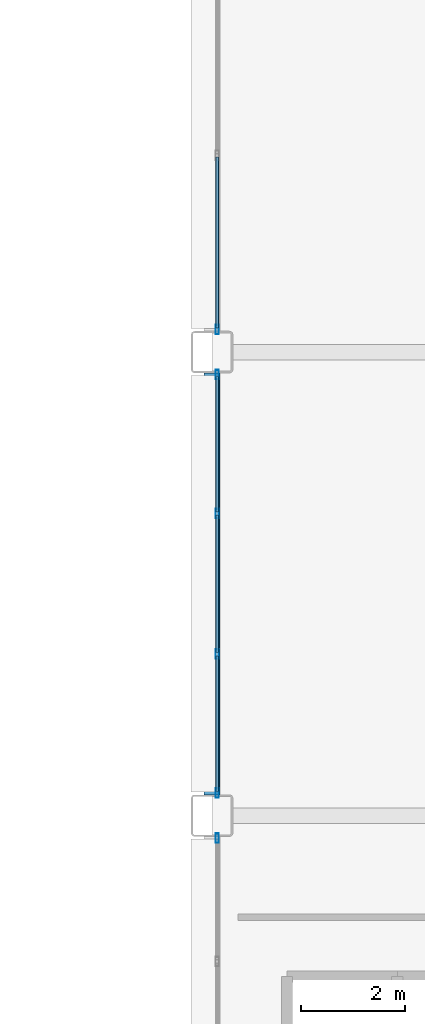
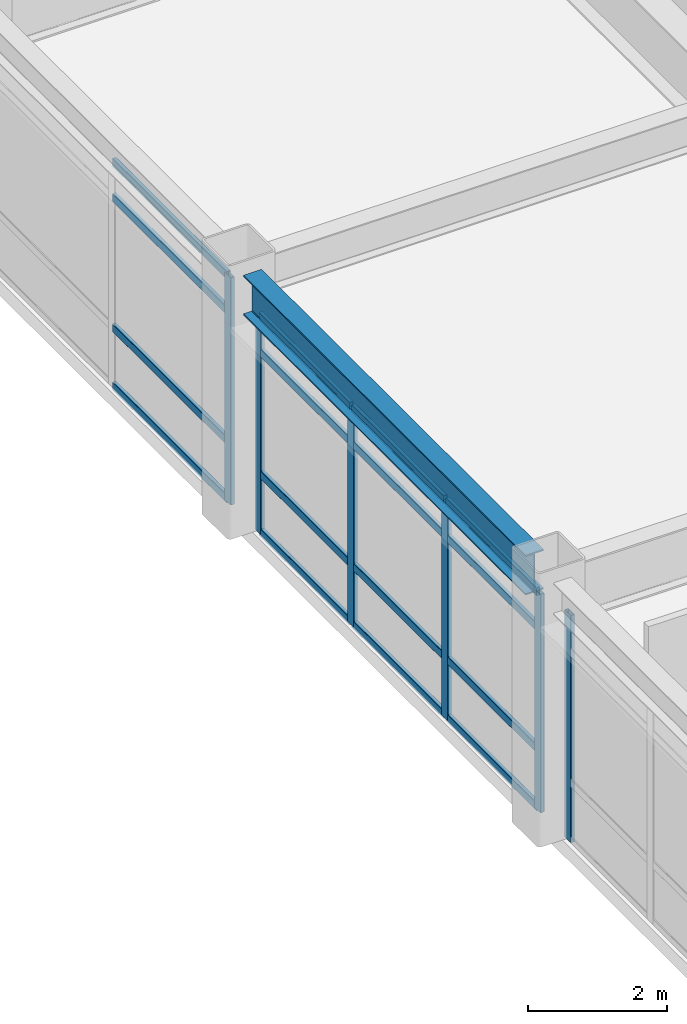
# One storey, part 98 of 154: 22 members, 1 beam, 3 elements without a shape of their own.
"""IFC4 building model written with IfcOpenShell, lengths in metres."""

from ifc_helpers import new_model, si_unit, direction, frame, origin, origin_2d, place, context, subcontext, project, spatial, hollow_rectangle, i_section, extrude, material, layer, layer_set, material_profile, profile_set, type_object, element, aggregate, save


model = new_model("IFC4")

# Units and contexts
model_context = context("Model", 3, precision=1e-05, world=origin(), true_north=direction((0.0, 1.0)))
body_context = subcontext(model_context, "Body", "Model", "MODEL_VIEW")
ifc_project = project(units=[si_unit("LENGTHUNIT", "METRE"), si_unit("AREAUNIT", "SQUARE_METRE"), si_unit("VOLUMEUNIT", "CUBIC_METRE"), si_unit("PLANEANGLEUNIT", "RADIAN"), si_unit("MASSUNIT", "GRAM", prefix="KILO")], contexts=[model_context])

# Site, building, storey
site_placement = place(None, origin())
site = spatial("IfcSite", under=ifc_project, at=site_placement, CompositionType="ELEMENT")
building_placement = place(site_placement, origin())
building = spatial("IfcBuilding", under=site, at=building_placement, Name="Kazehara Bluff Congress Hotel", CompositionType="ELEMENT")
storey_placement = place(building_placement, frame((0.0, 0.0, 10.199951171875)))
storey = spatial("IfcBuildingStorey", under=building, at=storey_placement, Name="L02", CompositionType="ELEMENT", Elevation=10.199951171875)

# Curtain wall, member
ifc_material_1 = material(Name="Anodised aluminium", Category="aluminium")
ifc_layer_1 = layer(ifc_material_1, 0.159912109375)
ifc_layer_set_1 = layer_set([ifc_layer_1], Name="Anodised aluminium")
curtain_wall_type_1 = type_object("IfcCurtainWallType", Name="TP-CW-120", PredefinedType="NOTDEFINED", material=ifc_layer_set_1)
curtain_wall_1_placement = place(storey_placement, origin())
curtain_wall_1 = element("IfcCurtainWall", 1, at=curtain_wall_1_placement, inside=storey, type_object=curtain_wall_type_1, Name="L02 curtain wall CW-120 CW-ENC-V5-L02-14380-6045", PredefinedType="NOTDEFINED")
ifc_material_2 = material(Name="Anodised aluminium", Category="aluminium")
ifc_material_profile_1 = material_profile(ifc_material_2, hollow_rectangle(XDim=0.06494140625, YDim=0.179931640625, WallThickness=0.00390625, InnerFilletRadius=0.00390625, OuterFilletRadius=0.008056640625, at=origin_2d()))
ifc_profile_set_1 = profile_set([ifc_material_profile_1], Name="Anodised aluminium")
member_type_1 = type_object("IfcMemberType", Name="TP-CWM-02", PredefinedType="MULLION", material=ifc_profile_set_1)
member_1_placement = place(storey_placement, frame((143.800048828125, 64.017578125, 0.0), z_axis=(0.0, 0.0, 1.0), x_axis=(-1.0, 0.0, 0.0)))
member_1 = element("IfcMember", 2, at=member_1_placement, type_object=member_type_1, Name="CW-120 mullion 4", PredefinedType="MULLION", context=body_context, shape_type="SweptSolid", body=[
    extrude(hollow_rectangle(XDim=0.06494140625, YDim=0.179931640625, WallThickness=0.00390625, InnerFilletRadius=0.00390625, OuterFilletRadius=0.008056640625, at=origin_2d()), origin(), (0.0, 0.0, 1.0), 3.985107421875),
])
aggregate(curtain_wall_1, [member_1])

# Curtain wall, members
ifc_material_3 = material(Name="Anodised aluminium", Category="aluminium")
ifc_layer_2 = layer(ifc_material_3, 0.159912109375)
ifc_layer_set_2 = layer_set([ifc_layer_2], Name="Anodised aluminium")
curtain_wall_type_2 = type_object("IfcCurtainWallType", Name="TP-CW-121", PredefinedType="NOTDEFINED", material=ifc_layer_set_2)
curtain_wall_2_placement = place(storey_placement, origin())
curtain_wall_2 = element("IfcCurtainWall", 3, at=curtain_wall_2_placement, inside=storey, type_object=curtain_wall_type_2, Name="L02 curtain wall CW-121 CW-ENC-V5-L02-14380-6890", PredefinedType="NOTDEFINED")
member_2_placement = place(storey_placement, frame((143.800048828125, 64.882568359375, 0.0), z_axis=(0.0, 0.0, 1.0), x_axis=(-1.0, 0.0, 0.0)))
member_2 = element("IfcMember", 4, at=member_2_placement, type_object=member_type_1, Name="CW-121 mullion 1", PredefinedType="MULLION", context=body_context, shape_type="SweptSolid", body=[
    extrude(hollow_rectangle(XDim=0.06494140625, YDim=0.179931640625, WallThickness=0.00390625, InnerFilletRadius=0.00390625, OuterFilletRadius=0.008056640625, at=origin_2d()), origin(), (0.0, 0.0, 1.0), 3.8349609375),
])
member_3_placement = place(storey_placement, frame((143.800048828125, 67.550048828125, 0.0), z_axis=(0.0, 0.0, 1.0), x_axis=(-1.0, 0.0, 0.0)))
member_3 = element("IfcMember", 5, at=member_3_placement, type_object=member_type_1, Name="CW-121 mullion 2", PredefinedType="MULLION", context=body_context, shape_type="SweptSolid", body=[
    extrude(hollow_rectangle(XDim=0.06494140625, YDim=0.179931640625, WallThickness=0.00390625, InnerFilletRadius=0.00390625, OuterFilletRadius=0.008056640625, at=origin_2d()), origin(), (0.0, 0.0, 1.0), 3.8349609375),
])
member_4_placement = place(storey_placement, frame((143.800048828125, 70.25, 0.0), z_axis=(0.0, 0.0, 1.0), x_axis=(-1.0, 0.0, 0.0)))
member_4 = element("IfcMember", 6, at=member_4_placement, type_object=member_type_1, Name="CW-121 mullion 3", PredefinedType="MULLION", context=body_context, shape_type="SweptSolid", body=[
    extrude(hollow_rectangle(XDim=0.06494140625, YDim=0.179931640625, WallThickness=0.00390625, InnerFilletRadius=0.00390625, OuterFilletRadius=0.008056640625, at=origin_2d()), origin(), (0.0, 0.0, 1.0), 3.8349609375),
])
member_5_placement = place(storey_placement, frame((143.800048828125, 72.91748046875, 0.0), z_axis=(0.0, 0.0, 1.0), x_axis=(-1.0, 0.0, 0.0)))
member_5 = element("IfcMember", 7, at=member_5_placement, type_object=member_type_1, Name="CW-121 mullion 4", PredefinedType="MULLION", context=body_context, shape_type="SweptSolid", body=[
    extrude(hollow_rectangle(XDim=0.06494140625, YDim=0.179931640625, WallThickness=0.00390625, InnerFilletRadius=0.00390625, OuterFilletRadius=0.008056640625, at=origin_2d()), origin(), (0.0, 0.0, 1.0), 3.8349609375),
])

# Curtain wall, member
ifc_material_4 = material(Name="Anodised aluminium", Category="aluminium")
ifc_layer_3 = layer(ifc_material_4, 0.159912109375)
ifc_layer_set_3 = layer_set([ifc_layer_3], Name="Anodised aluminium")
curtain_wall_type_3 = type_object("IfcCurtainWallType", Name="TP-CW-122", PredefinedType="NOTDEFINED", material=ifc_layer_set_3)
curtain_wall_3_placement = place(storey_placement, origin())
curtain_wall_3 = element("IfcCurtainWall", 8, at=curtain_wall_3_placement, inside=storey, type_object=curtain_wall_type_3, Name="L02 curtain wall CW-122 CW-ENC-V5-L02-14380-7712", PredefinedType="NOTDEFINED")
member_6_placement = place(storey_placement, frame((143.800048828125, 73.782470703125, 0.0), z_axis=(0.0, 0.0, 1.0), x_axis=(-1.0, 0.0, 0.0)))
member_6 = element("IfcMember", 9, at=member_6_placement, type_object=member_type_1, Name="CW-122 mullion 1", PredefinedType="MULLION", context=body_context, shape_type="SweptSolid", body=[
    extrude(hollow_rectangle(XDim=0.06494140625, YDim=0.179931640625, WallThickness=0.00390625, InnerFilletRadius=0.00390625, OuterFilletRadius=0.008056640625, at=origin_2d()), origin(), (0.0, 0.0, 1.0), 3.985107421875),
])

# Member
ifc_material_5 = material(Name="Anodised aluminium", Category="aluminium")
ifc_material_profile_2 = material_profile(ifc_material_5, hollow_rectangle(XDim=0.06494140625, YDim=0.139892578125, WallThickness=0.00390625, InnerFilletRadius=0.00390625, OuterFilletRadius=0.008056640625, at=origin_2d()))
ifc_profile_set_2 = profile_set([ifc_material_profile_2], Name="Anodised aluminium")
member_type_2 = type_object("IfcMemberType", Name="TP-CWT-02", PredefinedType="USERDEFINED", material=ifc_profile_set_2)
member_7_placement = place(storey_placement, frame((143.800048828125, 64.9150390625, 0.032470703125), z_axis=(0.0, 1.0, 0.0), x_axis=(-1.0, 0.0, 0.0)))
member_7 = element("IfcMember", 10, at=member_7_placement, type_object=member_type_2, Name="CW-121 transom 1.1", ObjectType="TRANSOM", PredefinedType="USERDEFINED", context=body_context, shape_type="SweptSolid", body=[
    extrude(hollow_rectangle(XDim=0.06494140625, YDim=0.139892578125, WallThickness=0.00390625, InnerFilletRadius=0.00390625, OuterFilletRadius=0.008056640625, at=origin_2d()), origin(), (0.0, 0.0, 1.0), 2.6025390625),
])

member_8_placement = place(storey_placement, frame((143.800048828125, 64.9150390625, 1.050048828125), z_axis=(0.0, 1.0, 0.0), x_axis=(-1.0, 0.0, 0.0)))
member_8 = element("IfcMember", 11, at=member_8_placement, type_object=member_type_2, Name="CW-121 transom 1.2", ObjectType="TRANSOM", PredefinedType="USERDEFINED", context=body_context, shape_type="SweptSolid", body=[
    extrude(hollow_rectangle(XDim=0.06494140625, YDim=0.139892578125, WallThickness=0.00390625, InnerFilletRadius=0.00390625, OuterFilletRadius=0.008056640625, at=origin_2d()), origin(), (0.0, 0.0, 1.0), 2.6025390625),
])

member_9_placement = place(storey_placement, frame((143.800048828125, 64.9150390625, 3.18505859375), z_axis=(0.0, 1.0, 0.0), x_axis=(-1.0, 0.0, 0.0)))
member_9 = element("IfcMember", 12, at=member_9_placement, type_object=member_type_2, Name="CW-121 transom 1.3", ObjectType="TRANSOM", PredefinedType="USERDEFINED", context=body_context, shape_type="SweptSolid", body=[
    extrude(hollow_rectangle(XDim=0.06494140625, YDim=0.139892578125, WallThickness=0.00390625, InnerFilletRadius=0.00390625, OuterFilletRadius=0.008056640625, at=origin_2d()), origin(), (0.0, 0.0, 1.0), 2.6025390625),
])

member_10_placement = place(storey_placement, frame((143.800048828125, 64.9150390625, 3.802490234375), z_axis=(0.0, 1.0, 0.0), x_axis=(-1.0, 0.0, 0.0)))
member_10 = element("IfcMember", 13, at=member_10_placement, type_object=member_type_2, Name="CW-121 transom 1.4", ObjectType="TRANSOM", PredefinedType="USERDEFINED", context=body_context, shape_type="SweptSolid", body=[
    extrude(hollow_rectangle(XDim=0.06494140625, YDim=0.139892578125, WallThickness=0.00390625, InnerFilletRadius=0.00390625, OuterFilletRadius=0.008056640625, at=origin_2d()), origin(), (0.0, 0.0, 1.0), 2.6025390625),
])

member_11_placement = place(storey_placement, frame((143.800048828125, 67.58251953125, 0.032470703125), z_axis=(0.0, 1.0, 0.0), x_axis=(-1.0, 0.0, 0.0)))
member_11 = element("IfcMember", 14, at=member_11_placement, type_object=member_type_2, Name="CW-121 transom 2.1", ObjectType="TRANSOM", PredefinedType="USERDEFINED", context=body_context, shape_type="SweptSolid", body=[
    extrude(hollow_rectangle(XDim=0.06494140625, YDim=0.139892578125, WallThickness=0.00390625, InnerFilletRadius=0.00390625, OuterFilletRadius=0.008056640625, at=origin_2d()), origin(), (0.0, 0.0, 1.0), 2.635009765625),
])

member_12_placement = place(storey_placement, frame((143.800048828125, 67.58251953125, 1.050048828125), z_axis=(0.0, 1.0, 0.0), x_axis=(-1.0, 0.0, 0.0)))
member_12 = element("IfcMember", 15, at=member_12_placement, type_object=member_type_2, Name="CW-121 transom 2.2", ObjectType="TRANSOM", PredefinedType="USERDEFINED", context=body_context, shape_type="SweptSolid", body=[
    extrude(hollow_rectangle(XDim=0.06494140625, YDim=0.139892578125, WallThickness=0.00390625, InnerFilletRadius=0.00390625, OuterFilletRadius=0.008056640625, at=origin_2d()), origin(), (0.0, 0.0, 1.0), 2.635009765625),
])

member_13_placement = place(storey_placement, frame((143.800048828125, 67.58251953125, 3.18505859375), z_axis=(0.0, 1.0, 0.0), x_axis=(-1.0, 0.0, 0.0)))
member_13 = element("IfcMember", 16, at=member_13_placement, type_object=member_type_2, Name="CW-121 transom 2.3", ObjectType="TRANSOM", PredefinedType="USERDEFINED", context=body_context, shape_type="SweptSolid", body=[
    extrude(hollow_rectangle(XDim=0.06494140625, YDim=0.139892578125, WallThickness=0.00390625, InnerFilletRadius=0.00390625, OuterFilletRadius=0.008056640625, at=origin_2d()), origin(), (0.0, 0.0, 1.0), 2.635009765625),
])

member_14_placement = place(storey_placement, frame((143.800048828125, 67.58251953125, 3.802490234375), z_axis=(0.0, 1.0, 0.0), x_axis=(-1.0, 0.0, 0.0)))
member_14 = element("IfcMember", 17, at=member_14_placement, type_object=member_type_2, Name="CW-121 transom 2.4", ObjectType="TRANSOM", PredefinedType="USERDEFINED", context=body_context, shape_type="SweptSolid", body=[
    extrude(hollow_rectangle(XDim=0.06494140625, YDim=0.139892578125, WallThickness=0.00390625, InnerFilletRadius=0.00390625, OuterFilletRadius=0.008056640625, at=origin_2d()), origin(), (0.0, 0.0, 1.0), 2.635009765625),
])

member_15_placement = place(storey_placement, frame((143.800048828125, 70.282470703125, 0.032470703125), z_axis=(0.0, 1.0, 0.0), x_axis=(-1.0, 0.0, 0.0)))
member_15 = element("IfcMember", 18, at=member_15_placement, type_object=member_type_2, Name="CW-121 transom 3.1", ObjectType="TRANSOM", PredefinedType="USERDEFINED", context=body_context, shape_type="SweptSolid", body=[
    extrude(hollow_rectangle(XDim=0.06494140625, YDim=0.139892578125, WallThickness=0.00390625, InnerFilletRadius=0.00390625, OuterFilletRadius=0.008056640625, at=origin_2d()), origin(), (0.0, 0.0, 1.0), 2.6025390625),
])

member_16_placement = place(storey_placement, frame((143.800048828125, 70.282470703125, 1.050048828125), z_axis=(0.0, 1.0, 0.0), x_axis=(-1.0, 0.0, 0.0)))
member_16 = element("IfcMember", 19, at=member_16_placement, type_object=member_type_2, Name="CW-121 transom 3.2", ObjectType="TRANSOM", PredefinedType="USERDEFINED", context=body_context, shape_type="SweptSolid", body=[
    extrude(hollow_rectangle(XDim=0.06494140625, YDim=0.139892578125, WallThickness=0.00390625, InnerFilletRadius=0.00390625, OuterFilletRadius=0.008056640625, at=origin_2d()), origin(), (0.0, 0.0, 1.0), 2.6025390625),
])

member_17_placement = place(storey_placement, frame((143.800048828125, 70.282470703125, 3.18505859375), z_axis=(0.0, 1.0, 0.0), x_axis=(-1.0, 0.0, 0.0)))
member_17 = element("IfcMember", 20, at=member_17_placement, type_object=member_type_2, Name="CW-121 transom 3.3", ObjectType="TRANSOM", PredefinedType="USERDEFINED", context=body_context, shape_type="SweptSolid", body=[
    extrude(hollow_rectangle(XDim=0.06494140625, YDim=0.139892578125, WallThickness=0.00390625, InnerFilletRadius=0.00390625, OuterFilletRadius=0.008056640625, at=origin_2d()), origin(), (0.0, 0.0, 1.0), 2.6025390625),
])

member_18_placement = place(storey_placement, frame((143.800048828125, 70.282470703125, 3.802490234375), z_axis=(0.0, 1.0, 0.0), x_axis=(-1.0, 0.0, 0.0)))
member_18 = element("IfcMember", 21, at=member_18_placement, type_object=member_type_2, Name="CW-121 transom 3.4", ObjectType="TRANSOM", PredefinedType="USERDEFINED", context=body_context, shape_type="SweptSolid", body=[
    extrude(hollow_rectangle(XDim=0.06494140625, YDim=0.139892578125, WallThickness=0.00390625, InnerFilletRadius=0.00390625, OuterFilletRadius=0.008056640625, at=origin_2d()), origin(), (0.0, 0.0, 1.0), 2.6025390625),
])

aggregate(curtain_wall_2, [member_2, member_3, member_4, member_5, member_7, member_8, member_9, member_10, member_11, member_12, member_13, member_14, member_15, member_16, member_17, member_18])

member_19_placement = place(storey_placement, frame((143.800048828125, 73.81494140625, 0.032470703125), z_axis=(0.0, 1.0, 0.0), x_axis=(-1.0, 0.0, 0.0)))
member_19 = element("IfcMember", 22, at=member_19_placement, type_object=member_type_2, Name="CW-122 transom 1.1", ObjectType="TRANSOM", PredefinedType="USERDEFINED", context=body_context, shape_type="SweptSolid", body=[
    extrude(hollow_rectangle(XDim=0.06494140625, YDim=0.139892578125, WallThickness=0.00390625, InnerFilletRadius=0.00390625, OuterFilletRadius=0.008056640625, at=origin_2d()), origin(), (0.0, 0.0, 1.0), 3.277587890625),
])

member_20_placement = place(storey_placement, frame((143.800048828125, 73.81494140625, 1.050048828125), z_axis=(0.0, 1.0, 0.0), x_axis=(-1.0, 0.0, 0.0)))
member_20 = element("IfcMember", 23, at=member_20_placement, type_object=member_type_2, Name="CW-122 transom 1.2", ObjectType="TRANSOM", PredefinedType="USERDEFINED", context=body_context, shape_type="SweptSolid", body=[
    extrude(hollow_rectangle(XDim=0.06494140625, YDim=0.139892578125, WallThickness=0.00390625, InnerFilletRadius=0.00390625, OuterFilletRadius=0.008056640625, at=origin_2d()), origin(), (0.0, 0.0, 1.0), 3.277587890625),
])

member_21_placement = place(storey_placement, frame((143.800048828125, 73.81494140625, 3.3349609375), z_axis=(0.0, 1.0, 0.0), x_axis=(-1.0, 0.0, 0.0)))
member_21 = element("IfcMember", 24, at=member_21_placement, type_object=member_type_2, Name="CW-122 transom 1.3", ObjectType="TRANSOM", PredefinedType="USERDEFINED", context=body_context, shape_type="SweptSolid", body=[
    extrude(hollow_rectangle(XDim=0.06494140625, YDim=0.139892578125, WallThickness=0.00390625, InnerFilletRadius=0.00390625, OuterFilletRadius=0.008056640625, at=origin_2d()), origin(), (0.0, 0.0, 1.0), 3.277587890625),
])

member_22_placement = place(storey_placement, frame((143.800048828125, 73.81494140625, 3.95263671875), z_axis=(0.0, 1.0, 0.0), x_axis=(-1.0, 0.0, 0.0)))
member_22 = element("IfcMember", 25, at=member_22_placement, type_object=member_type_2, Name="CW-122 transom 1.4", ObjectType="TRANSOM", PredefinedType="USERDEFINED", context=body_context, shape_type="SweptSolid", body=[
    extrude(hollow_rectangle(XDim=0.06494140625, YDim=0.139892578125, WallThickness=0.00390625, InnerFilletRadius=0.00390625, OuterFilletRadius=0.008056640625, at=origin_2d()), origin(), (0.0, 0.0, 1.0), 3.277587890625),
])

aggregate(curtain_wall_3, [member_6, member_19, member_20, member_21, member_22])

# Beam
ifc_material_6 = material(Name="Steel SN490B", Category="steel")
ifc_material_profile_3 = material_profile(ifc_material_6, i_section(OverallWidth=0.300048828125, OverallDepth=0.699951171875, WebThickness=0.012939453125, FlangeThickness=0.02392578125, FilletRadius=0.01806640625, at=origin_2d()))
ifc_profile_set_3 = profile_set([ifc_material_profile_3], Name="Steel SN490B")
beam_type = type_object("IfcBeamType", Name="TP-SP-03", PredefinedType="SPANDREL", material=ifc_profile_set_3)
beam_placement = place(storey_placement, frame((143.699951171875, 64.85009765625, 4.2099609375), z_axis=(0.0, 1.0, 0.0), x_axis=(-1.0, 0.0, 0.0)))
element("IfcBeam", 26, at=beam_placement, inside=storey, type_object=beam_type, Name="L02 girder SP-03 145", PredefinedType="SPANDREL", context=body_context, shape_type="SweptSolid", body=[
    extrude(i_section(OverallWidth=0.300048828125, OverallDepth=0.699951171875, WebThickness=0.012939453125, FlangeThickness=0.02392578125, FilletRadius=0.01806640625, at=origin_2d()), origin(), (0.0, 0.0, 1.0), 8.099853515625),
])

save(model, "model.ifc")
